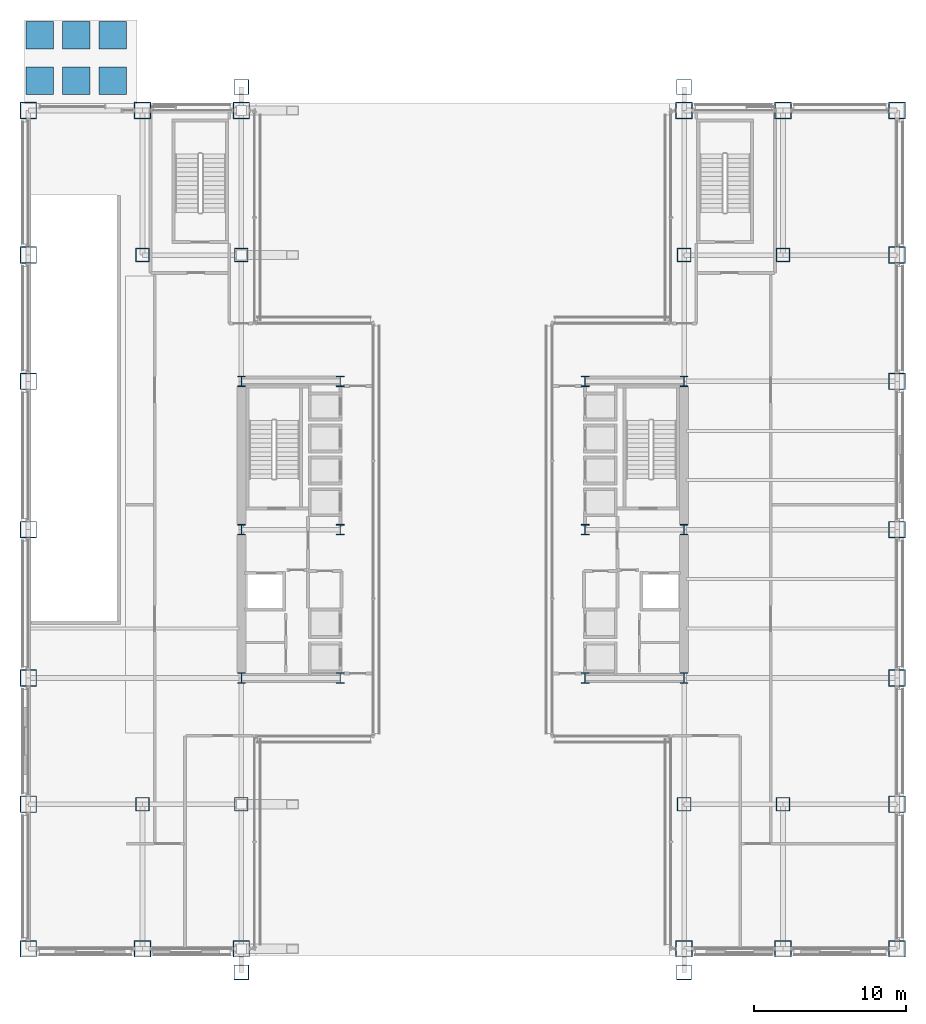
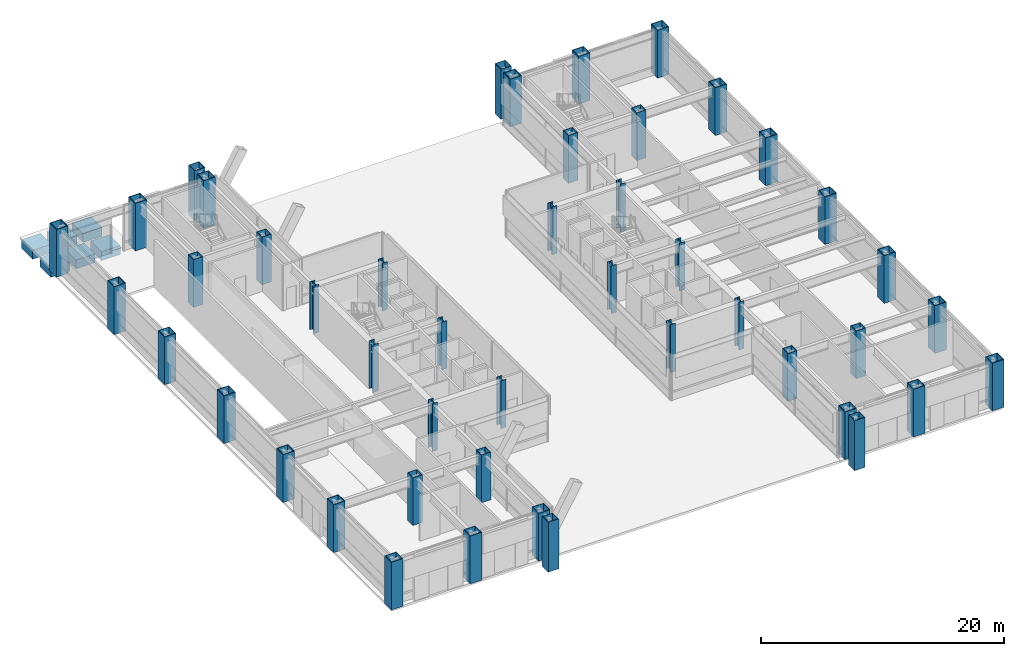
# One storey, part 1 of 37: 46 columns, 6 footings.
"""IFC4 building model written with IfcOpenShell, lengths in metres."""

from ifc_helpers import new_model, si_unit, direction, frame, origin, origin_2d, place, context, subcontext, project, spatial, polyline, hollow_rectangle, i_section, outline, extrude, material, layer, layer_set, material_profile, profile_set, type_object, element, save


model = new_model("IFC4")

# Units and contexts
model_context = context("Model", 3, precision=1e-05, world=origin(), true_north=direction((0.0, 1.0)))
body_context = subcontext(model_context, "Body", "Model", "MODEL_VIEW")
ifc_project = project(units=[si_unit("LENGTHUNIT", "METRE"), si_unit("AREAUNIT", "SQUARE_METRE"), si_unit("VOLUMEUNIT", "CUBIC_METRE"), si_unit("PLANEANGLEUNIT", "RADIAN"), si_unit("MASSUNIT", "GRAM", prefix="KILO")], contexts=[model_context])

# Site, building, storey
site_placement = place(None, origin())
site = spatial("IfcSite", under=ifc_project, at=site_placement, CompositionType="ELEMENT")
building_placement = place(site_placement, origin())
building = spatial("IfcBuilding", under=site, at=building_placement, Name="Brelmoor Portico Tower", CompositionType="ELEMENT")
storey_placement = place(building_placement, origin())
storey = spatial("IfcBuildingStorey", under=building, at=storey_placement, Name="L00", CompositionType="ELEMENT", Elevation=0.0)

# Footings
ifc_material_1 = material(Name="Concrete C50", Category="concrete")
ifc_layer = layer(ifc_material_1, 0.89990234375)
ifc_layer_set = layer_set([ifc_layer], Name="Concrete C50")
footing_type = type_object("IfcFootingType", Name="FT-PAD-1800", PredefinedType="PAD_FOOTING", material=ifc_layer_set)
footing_1_placement = place(storey_placement, frame((0.0, 0.0, -1.1201171875)))
element("IfcFooting", 1, at=footing_1_placement, inside=storey, type_object=footing_type, Name="Street Apron Pad Footing PF-01", PredefinedType="PAD_FOOTING", context=body_context, shape_type="SweptSolid", body=[
    extrude(outline(polyline([(-28.699951171875, 28.60009765625), (-26.89990234375, 28.60009765625), (-26.89990234375, 30.39990234375), (-28.699951171875, 30.39990234375), (-28.699951171875, 28.60009765625)])), origin(), (0.0, 0.0, 1.0), 0.900146484375),
])
footing_2_placement = place(storey_placement, frame((0.0, 0.0, -1.1201171875)))
element("IfcFooting", 2, at=footing_2_placement, inside=storey, type_object=footing_type, Name="Street Apron Pad Footing PF-02", PredefinedType="PAD_FOOTING", context=body_context, shape_type="SweptSolid", body=[
    extrude(outline(polyline([(-26.300048828125, 28.60009765625), (-24.5, 28.60009765625), (-24.5, 30.39990234375), (-26.300048828125, 30.39990234375), (-26.300048828125, 28.60009765625)])), origin(), (0.0, 0.0, 1.0), 0.900146484375),
])
footing_3_placement = place(storey_placement, frame((0.0, 0.0, -1.1201171875)))
element("IfcFooting", 3, at=footing_3_placement, inside=storey, type_object=footing_type, Name="Street Apron Pad Footing PF-03", PredefinedType="PAD_FOOTING", context=body_context, shape_type="SweptSolid", body=[
    extrude(outline(polyline([(-23.89990234375, 28.60009765625), (-22.10009765625, 28.60009765625), (-22.10009765625, 30.39990234375), (-23.89990234375, 30.39990234375), (-23.89990234375, 28.60009765625)])), origin(), (0.0, 0.0, 1.0), 0.900146484375),
])
footing_4_placement = place(storey_placement, frame((0.0, 0.0, -1.1201171875)))
element("IfcFooting", 4, at=footing_4_placement, inside=storey, type_object=footing_type, Name="Street Apron Pad Footing PF-04", PredefinedType="PAD_FOOTING", context=body_context, shape_type="SweptSolid", body=[
    extrude(outline(polyline([(-28.699951171875, 31.60009765625), (-26.89990234375, 31.60009765625), (-26.89990234375, 33.39990234375), (-28.699951171875, 33.39990234375), (-28.699951171875, 31.60009765625)])), origin(), (0.0, 0.0, 1.0), 0.900146484375),
])
footing_5_placement = place(storey_placement, frame((0.0, 0.0, -1.1201171875)))
element("IfcFooting", 5, at=footing_5_placement, inside=storey, type_object=footing_type, Name="Street Apron Pad Footing PF-05", PredefinedType="PAD_FOOTING", context=body_context, shape_type="SweptSolid", body=[
    extrude(outline(polyline([(-26.300048828125, 31.60009765625), (-24.5, 31.60009765625), (-24.5, 33.39990234375), (-26.300048828125, 33.39990234375), (-26.300048828125, 31.60009765625)])), origin(), (0.0, 0.0, 1.0), 0.900146484375),
])
footing_6_placement = place(storey_placement, frame((0.0, 0.0, -1.1201171875)))
element("IfcFooting", 6, at=footing_6_placement, inside=storey, type_object=footing_type, Name="Street Apron Pad Footing PF-06", PredefinedType="PAD_FOOTING", context=body_context, shape_type="SweptSolid", body=[
    extrude(outline(polyline([(-23.89990234375, 31.60009765625), (-22.10009765625, 31.60009765625), (-22.10009765625, 33.39990234375), (-23.89990234375, 33.39990234375), (-23.89990234375, 31.60009765625)])), origin(), (0.0, 0.0, 1.0), 0.900146484375),
])

# Columns
ifc_material_2 = material(Name="Steel Q420B", Category="steel")
ifc_material_profile_1 = material_profile(ifc_material_2, hollow_rectangle(XDim=1.0, YDim=1.0, WallThickness=0.050048828125, at=origin_2d()), Name="BOX 1000x1000x50")
ifc_profile_set_1 = profile_set([ifc_material_profile_1], Name="Steel Q420B")
column_type_1 = type_object("IfcColumnType", Name="COL-MEGA-1000", PredefinedType="COLUMN", material=ifc_profile_set_1)
for number, where, z_axis, x_axis, name in (
    (7, (-14.550048828125, -29.10009765625, -0.219970703125), (0.0, 0.0, 1.0), (1.0, 0.0, 0.0), "L00 Giant Arch Entrance Portal Pier EP-SW"),
    (8, (14.550048828125, -29.10009765625, -0.219970703125), (0.0, 0.0, 1.0), (1.0, 0.0, 0.0), "L00 Giant Arch Entrance Portal Pier EP-SE"),
    (9, (-14.550048828125, 29.10009765625, -0.219970703125), (0.0, 0.0, 1.0), (1.0, 0.0, 0.0), "L00 Giant Arch Entrance Portal Pier EP-NW"),
    (10, (14.550048828125, 29.10009765625, -0.219970703125), (0.0, 0.0, 1.0), (1.0, 0.0, 0.0), "L00 Giant Arch Entrance Portal Pier EP-NE"),
):
    element("IfcColumn", number, at=place(storey_placement, frame(where, z_axis=z_axis, x_axis=x_axis)), inside=storey, type_object=column_type_1, Name=name, PredefinedType="COLUMN", context=body_context, shape_type="SweptSolid", body=[
        extrude(hollow_rectangle(XDim=1.0, YDim=1.0, WallThickness=0.050048828125, at=origin_2d()), origin(), (0.0, 0.0, 1.0), 5.02001953125),
    ])
ifc_material_profile_2 = material_profile(ifc_material_2, hollow_rectangle(XDim=1.10009765625, YDim=1.10009765625, WallThickness=0.054931640625, at=origin_2d()), Name="BOX 1100x1100x55")
ifc_profile_set_2 = profile_set([ifc_material_profile_2], Name="Steel Q420B")
column_type_2 = type_object("IfcColumnType", Name="COL-MEGA-1100", PredefinedType="COLUMN", material=ifc_profile_set_2)
for number, where, z_axis, x_axis, name in (
    (11, (-28.550048828125, -27.550048828125, 0.0), (0.0, 0.0, 1.0), (1.0, 0.0, 0.0), "L00 Perimeter Mega-Column PS01"),
    (12, (-21.050048828125, -27.550048828125, 0.0), (0.0, 0.0, 1.0), (1.0, 0.0, 0.0), "L00 Perimeter Mega-Column PS02"),
    (13, (-14.550048828125, -27.550048828125, 0.0), (0.0, 0.0, 1.0), (1.0, 0.0, 0.0), "L00 Perimeter Mega-Column PS03"),
    (14, (14.550048828125, -27.550048828125, 0.0), (0.0, 0.0, 1.0), (1.0, 0.0, 0.0), "L00 Perimeter Mega-Column PS04"),
    (15, (21.050048828125, -27.550048828125, 0.0), (0.0, 0.0, 1.0), (1.0, 0.0, 0.0), "L00 Perimeter Mega-Column PS05"),
    (16, (28.550048828125, -27.550048828125, 0.0), (0.0, 0.0, 1.0), (1.0, 0.0, 0.0), "L00 Perimeter Mega-Column PS06"),
    (17, (-28.550048828125, 27.550048828125, 0.0), (0.0, 0.0, 1.0), (1.0, 0.0, 0.0), "L00 Perimeter Mega-Column PN07"),
    (18, (-21.050048828125, 27.550048828125, 0.0), (0.0, 0.0, 1.0), (1.0, 0.0, 0.0), "L00 Perimeter Mega-Column PN08"),
    (19, (-14.550048828125, 27.550048828125, 0.0), (0.0, 0.0, 1.0), (1.0, 0.0, 0.0), "L00 Perimeter Mega-Column PN09"),
    (20, (14.550048828125, 27.550048828125, 0.0), (0.0, 0.0, 1.0), (1.0, 0.0, 0.0), "L00 Perimeter Mega-Column PN10"),
    (21, (21.050048828125, 27.550048828125, 0.0), (0.0, 0.0, 1.0), (1.0, 0.0, 0.0), "L00 Perimeter Mega-Column PN11"),
    (22, (28.550048828125, 27.550048828125, 0.0), (0.0, 0.0, 1.0), (1.0, 0.0, 0.0), "L00 Perimeter Mega-Column PN12"),
    (23, (-28.550048828125, -18.050048828125, 0.0), (0.0, 0.0, 1.0), (0.0, 1.0, 0.0), "L00 Perimeter Mega-Column PW13"),
    (24, (28.550048828125, -18.050048828125, 0.0), (0.0, 0.0, 1.0), (0.0, 1.0, 0.0), "L00 Perimeter Mega-Column PE14"),
    (25, (-28.550048828125, -9.75, 0.0), (0.0, 0.0, 1.0), (0.0, 1.0, 0.0), "L00 Perimeter Mega-Column PW15"),
    (26, (28.550048828125, -9.75, 0.0), (0.0, 0.0, 1.0), (0.0, 1.0, 0.0), "L00 Perimeter Mega-Column PE16"),
    (27, (-28.550048828125, 0.0, 0.0), (0.0, 0.0, 1.0), (0.0, 1.0, 0.0), "L00 Perimeter Mega-Column PW17"),
    (28, (28.550048828125, 0.0, 0.0), (0.0, 0.0, 1.0), (0.0, 1.0, 0.0), "L00 Perimeter Mega-Column PE18"),
    (29, (-28.550048828125, 9.75, 0.0), (0.0, 0.0, 1.0), (0.0, 1.0, 0.0), "L00 Perimeter Mega-Column PW19"),
    (30, (28.550048828125, 9.75, 0.0), (0.0, 0.0, 1.0), (0.0, 1.0, 0.0), "L00 Perimeter Mega-Column PE20"),
    (31, (-28.550048828125, 18.050048828125, 0.0), (0.0, 0.0, 1.0), (0.0, 1.0, 0.0), "L00 Perimeter Mega-Column PW21"),
    (32, (28.550048828125, 18.050048828125, 0.0), (0.0, 0.0, 1.0), (0.0, 1.0, 0.0), "L00 Perimeter Mega-Column PE22"),
):
    element("IfcColumn", number, at=place(storey_placement, frame(where, z_axis=z_axis, x_axis=x_axis)), inside=storey, type_object=column_type_2, Name=name, PredefinedType="COLUMN", context=body_context, shape_type="SweptSolid", body=[
        extrude(hollow_rectangle(XDim=1.10009765625, YDim=1.10009765625, WallThickness=0.054931640625, at=origin_2d()), origin(), (0.0, 0.0, 1.0), 4.800048828125),
    ])
ifc_material_3 = material(Name="Steel Q355B", Category="steel")
ifc_material_profile_3 = material_profile(ifc_material_3, hollow_rectangle(XDim=0.89990234375, YDim=0.89990234375, WallThickness=0.044921875, at=origin_2d()), Name="BOX 900x900x45")
ifc_profile_set_3 = profile_set([ifc_material_profile_3], Name="Steel Q355B")
column_type_3 = type_object("IfcColumnType", Name="COL-MEGA-900", PredefinedType="COLUMN", material=ifc_profile_set_3)
for number, where, z_axis, x_axis, name in (
    (33, (-21.050048828125, -18.050048828125, 0.0), (0.0, 0.0, 1.0), (1.0, 0.0, 0.0), "L00 Podium Pier Column PP-SW1"),
    (34, (-14.550048828125, -18.050048828125, 0.0), (0.0, 0.0, 1.0), (1.0, 0.0, 0.0), "L00 Podium Pier Column PP-SW2"),
    (35, (-21.050048828125, 18.050048828125, 0.0), (0.0, 0.0, 1.0), (1.0, 0.0, 0.0), "L00 Podium Pier Column PP-NW1"),
    (36, (-14.550048828125, 18.050048828125, 0.0), (0.0, 0.0, 1.0), (1.0, 0.0, 0.0), "L00 Podium Pier Column PP-NW2"),
    (37, (14.550048828125, -18.050048828125, 0.0), (0.0, 0.0, 1.0), (1.0, 0.0, 0.0), "L00 Podium Pier Column PP-SE1"),
    (38, (21.050048828125, -18.050048828125, 0.0), (0.0, 0.0, 1.0), (1.0, 0.0, 0.0), "L00 Podium Pier Column PP-SE2"),
    (39, (14.550048828125, 18.050048828125, 0.0), (0.0, 0.0, 1.0), (1.0, 0.0, 0.0), "L00 Podium Pier Column PP-NE1"),
    (40, (21.050048828125, 18.050048828125, 0.0), (0.0, 0.0, 1.0), (1.0, 0.0, 0.0), "L00 Podium Pier Column PP-NE2"),
):
    element("IfcColumn", number, at=place(storey_placement, frame(where, z_axis=z_axis, x_axis=x_axis)), inside=storey, type_object=column_type_3, Name=name, PredefinedType="COLUMN", context=body_context, shape_type="SweptSolid", body=[
        extrude(hollow_rectangle(XDim=0.89990234375, YDim=0.89990234375, WallThickness=0.044921875, at=origin_2d()), origin(), (0.0, 0.0, 1.0), 4.800048828125),
    ])
ifc_material_profile_4 = material_profile(ifc_material_2, i_section(OverallWidth=0.5, OverallDepth=0.699951171875, WebThickness=0.028076171875, FlangeThickness=0.044921875, at=origin_2d()), Name="HW 700x500x28x45")
ifc_profile_set_4 = profile_set([ifc_material_profile_4], Name="Steel Q420B")
column_type_4 = type_object("IfcColumnType", Name="COL-SPINE-700", PredefinedType="COLUMN", material=ifc_profile_set_4)
for number, where, z_axis, x_axis, name in (
    (41, (-14.550048828125, -9.75, 0.0), (0.0, 0.0, 1.0), (1.0, 0.0, 0.0), "L00 Core Spine Column CW-SW"),
    (42, (-14.550048828125, 0.0, 0.0), (0.0, 0.0, 1.0), (1.0, 0.0, 0.0), "L00 Core Spine Column CW-MW"),
    (43, (-14.550048828125, 9.75, 0.0), (0.0, 0.0, 1.0), (1.0, 0.0, 0.0), "L00 Core Spine Column CW-NW"),
    (44, (-8.050048828125, -9.75, 0.0), (0.0, 0.0, 1.0), (1.0, 0.0, 0.0), "L00 Core Spine Column CW-SE"),
    (45, (-8.050048828125, 0.0, 0.0), (0.0, 0.0, 1.0), (1.0, 0.0, 0.0), "L00 Core Spine Column CW-ME"),
    (46, (-8.050048828125, 9.75, 0.0), (0.0, 0.0, 1.0), (1.0, 0.0, 0.0), "L00 Core Spine Column CW-NE"),
    (47, (8.050048828125, -9.75, 0.0), (0.0, 0.0, 1.0), (1.0, 0.0, 0.0), "L00 Core Spine Column CE-SW"),
    (48, (8.050048828125, 0.0, 0.0), (0.0, 0.0, 1.0), (1.0, 0.0, 0.0), "L00 Core Spine Column CE-MW"),
    (49, (8.050048828125, 9.75, 0.0), (0.0, 0.0, 1.0), (1.0, 0.0, 0.0), "L00 Core Spine Column CE-NW"),
    (50, (14.550048828125, -9.75, 0.0), (0.0, 0.0, 1.0), (1.0, 0.0, 0.0), "L00 Core Spine Column CE-SE"),
    (51, (14.550048828125, 0.0, 0.0), (0.0, 0.0, 1.0), (1.0, 0.0, 0.0), "L00 Core Spine Column CE-ME"),
    (52, (14.550048828125, 9.75, 0.0), (0.0, 0.0, 1.0), (1.0, 0.0, 0.0), "L00 Core Spine Column CE-NE"),
):
    element("IfcColumn", number, at=place(storey_placement, frame(where, z_axis=z_axis, x_axis=x_axis)), inside=storey, type_object=column_type_4, Name=name, PredefinedType="COLUMN", context=body_context, shape_type="SweptSolid", body=[
        extrude(i_section(OverallWidth=0.5, OverallDepth=0.699951171875, WebThickness=0.028076171875, FlangeThickness=0.044921875, at=origin_2d()), origin(), (0.0, 0.0, 1.0), 4.800048828125),
    ])

save(model, "model.ifc")
